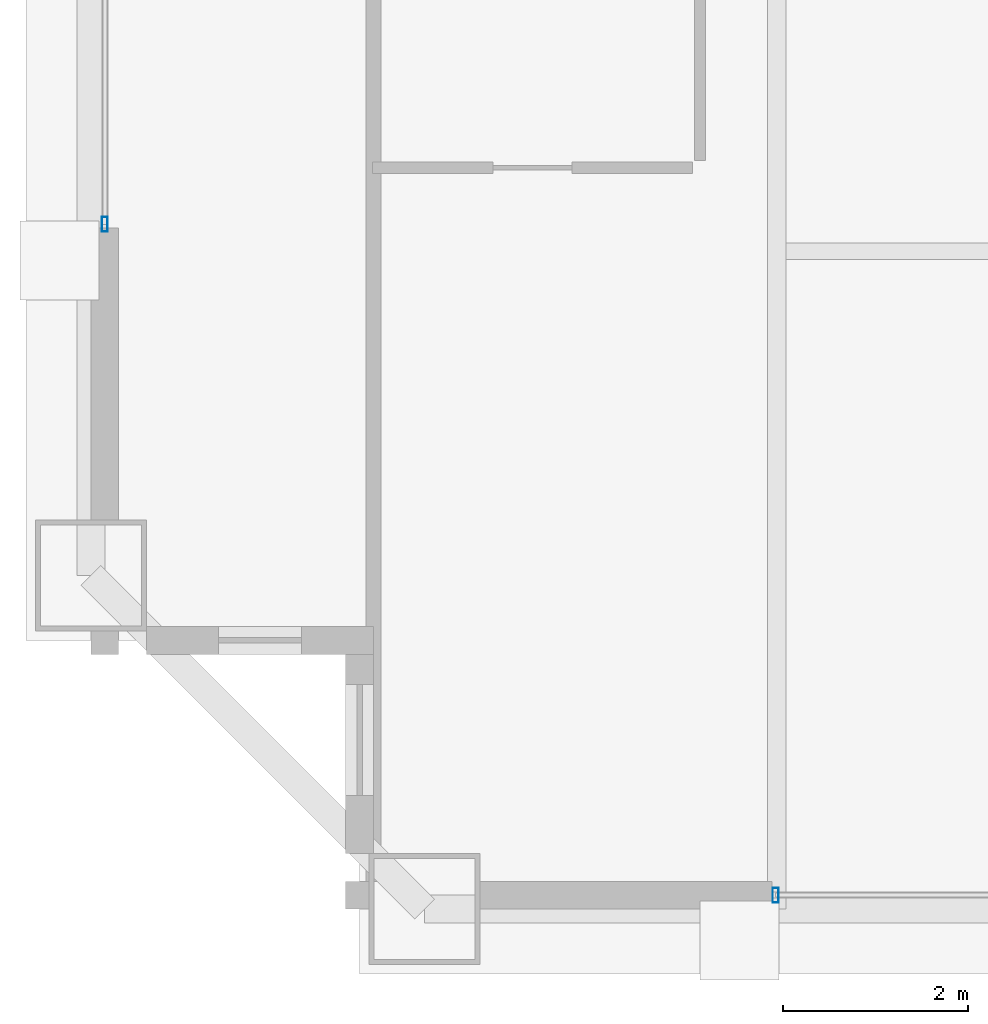
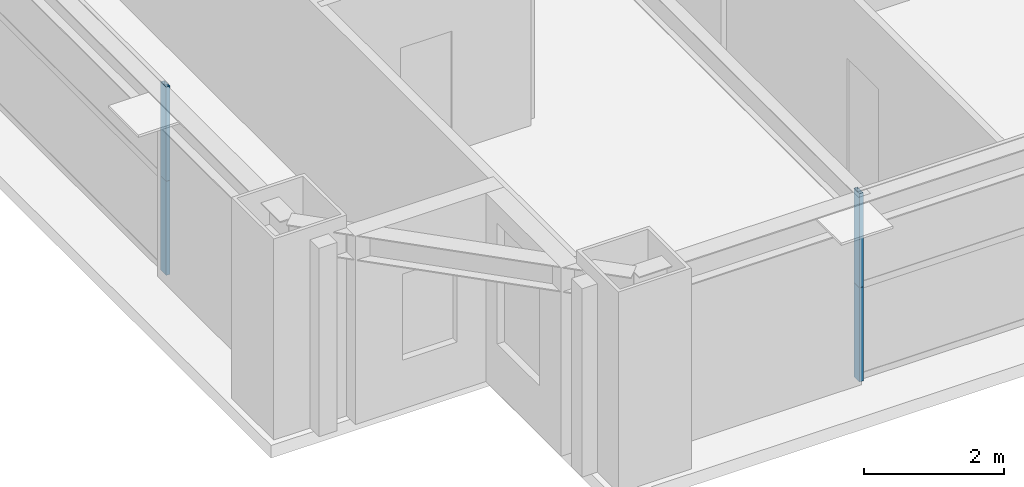
# One storey, part 3 of 37: 4 members, 2 elements without a shape of their own.
"""IFC4 building model written with IfcOpenShell, lengths in metres."""

from ifc_helpers import new_model, si_unit, direction, frame, origin, origin_2d, place, context, subcontext, project, spatial, hollow_rectangle, extrude, source, transform, mapped, material, layer, layer_set, material_profile, profile_set, type_object, element, aggregate, save


model = new_model("IFC4")

# Units and contexts
model_context = context("Model", 3, precision=1e-05, world=origin(), true_north=direction((0.0, 1.0)))
body_context = subcontext(model_context, "Body", "Model", "MODEL_VIEW")
ifc_project = project(units=[si_unit("LENGTHUNIT", "METRE"), si_unit("AREAUNIT", "SQUARE_METRE"), si_unit("VOLUMEUNIT", "CUBIC_METRE"), si_unit("PLANEANGLEUNIT", "RADIAN"), si_unit("MASSUNIT", "GRAM", prefix="KILO"), si_unit("THERMODYNAMICTEMPERATUREUNIT", "KELVIN"), si_unit("POWERUNIT", "WATT")], contexts=[model_context])

# Site, building, storey
site_placement = place(None, origin())
site = spatial("IfcSite", under=ifc_project, at=site_placement, CompositionType="ELEMENT")
building_placement = place(site_placement, origin())
building = spatial("IfcBuilding", under=site, at=building_placement, Name="Yuzanri Waterfront Tower", CompositionType="ELEMENT")
storey_placement = place(building_placement, frame((0.0, 0.0, 252.10009765625)))
storey = spatial("IfcBuildingStorey", under=building, at=storey_placement, Name="L67", CompositionType="ELEMENT", Elevation=252.10009765625)

# Curtain wall, members
ifc_material_1 = material(Name="Anodized Architectural Bronze", Category="metal")
ifc_layer = layer(ifc_material_1, 0.159912109375)
ifc_layer_set = layer_set([ifc_layer], Name="Anodized Architectural Bronze")
curtain_wall_type = type_object("IfcCurtainWallType", Name="Anodized Bronze Mid-Rise Residential Acoustic Unitized Curtain Wall 7200", PredefinedType="NOTDEFINED", material=ifc_layer_set)
curtain_wall_1_placement = place(storey_placement, origin())
curtain_wall_1 = element("IfcCurtainWall", 1, at=curtain_wall_1_placement, inside=storey, type_object=curtain_wall_type, Name="L67 Curtain Wall CW-L67-SL", PredefinedType="NOTDEFINED")
ifc_material_2 = material(Name="Anodized Architectural Bronze", Category="metal")
ifc_material_profile = material_profile(ifc_material_2, hollow_rectangle(XDim=0.06494140625, YDim=0.159912109375, WallThickness=0.00341796875, at=origin_2d()), Name="CWM 65x160")
ifc_profile_set = profile_set([ifc_material_profile], Name="Anodized Architectural Bronze")
member_type = type_object("IfcMemberType", Name="Anodized Bronze Upper-Zone Curtain-Wall Mullion 65x160", PredefinedType="MULLION", material=ifc_profile_set)
shared_shape = source(origin(), body_context, "Body", "SweptSolid", [
    extrude(hollow_rectangle(XDim=0.06494140625, YDim=0.159912109375, WallThickness=0.00341796875, at=origin_2d()), origin(), (0.0, 0.0, 1.0), 1.637939453125),
])
member_1_placement = place(storey_placement, frame((23.7900390625, 5.35009765625, 0.0), z_axis=(0.0, 0.0, 1.0), x_axis=(1.0, 0.0, 0.0)))
member_1 = element("IfcMember", 2, at=member_1_placement, type_object=member_type, Name="CW-L67-SL Lower Mullion 00", PredefinedType="MULLION", context=body_context, shape_type="MappedRepresentation", body=[
    mapped(shared_shape, transform((0.0, 0.0, 0.0), scale=1.0)),
])
member_2_placement = place(storey_placement, frame((23.7900390625, 5.35009765625, 1.641845703125), z_axis=(0.0, 0.0, 1.0), x_axis=(1.0, 0.0, 0.0)))
member_2 = element("IfcMember", 3, at=member_2_placement, type_object=member_type, Name="CW-L67-SL Upper Mullion 00", PredefinedType="MULLION", context=body_context, shape_type="MappedRepresentation", body=[
    mapped(shared_shape, transform((0.0, 0.0, 0.0), scale=1.0)),
])
aggregate(curtain_wall_1, [member_1, member_2])

curtain_wall_2_placement = place(storey_placement, origin())
curtain_wall_2 = element("IfcCurtainWall", 4, at=curtain_wall_2_placement, inside=storey, type_object=curtain_wall_type, Name="L67 Curtain Wall CW-L67-WL", PredefinedType="NOTDEFINED")
member_3_placement = place(storey_placement, frame((16.550048828125, 12.590087890625, 0.0), z_axis=(0.0, 0.0, 1.0), x_axis=(1.0, 0.0, 0.0)))
member_3 = element("IfcMember", 5, at=member_3_placement, type_object=member_type, Name="CW-L67-WL Lower Mullion 00", PredefinedType="MULLION", context=body_context, shape_type="MappedRepresentation", body=[
    mapped(shared_shape, transform((0.0, 0.0, 0.0), scale=1.0)),
])
member_4_placement = place(storey_placement, frame((16.550048828125, 12.590087890625, 1.641845703125), z_axis=(0.0, 0.0, 1.0), x_axis=(1.0, 0.0, 0.0)))
member_4 = element("IfcMember", 6, at=member_4_placement, type_object=member_type, Name="CW-L67-WL Upper Mullion 00", PredefinedType="MULLION", context=body_context, shape_type="MappedRepresentation", body=[
    mapped(shared_shape, transform((0.0, 0.0, 0.0), scale=1.0)),
])
aggregate(curtain_wall_2, [member_3, member_4])

save(model, "model.ifc")
